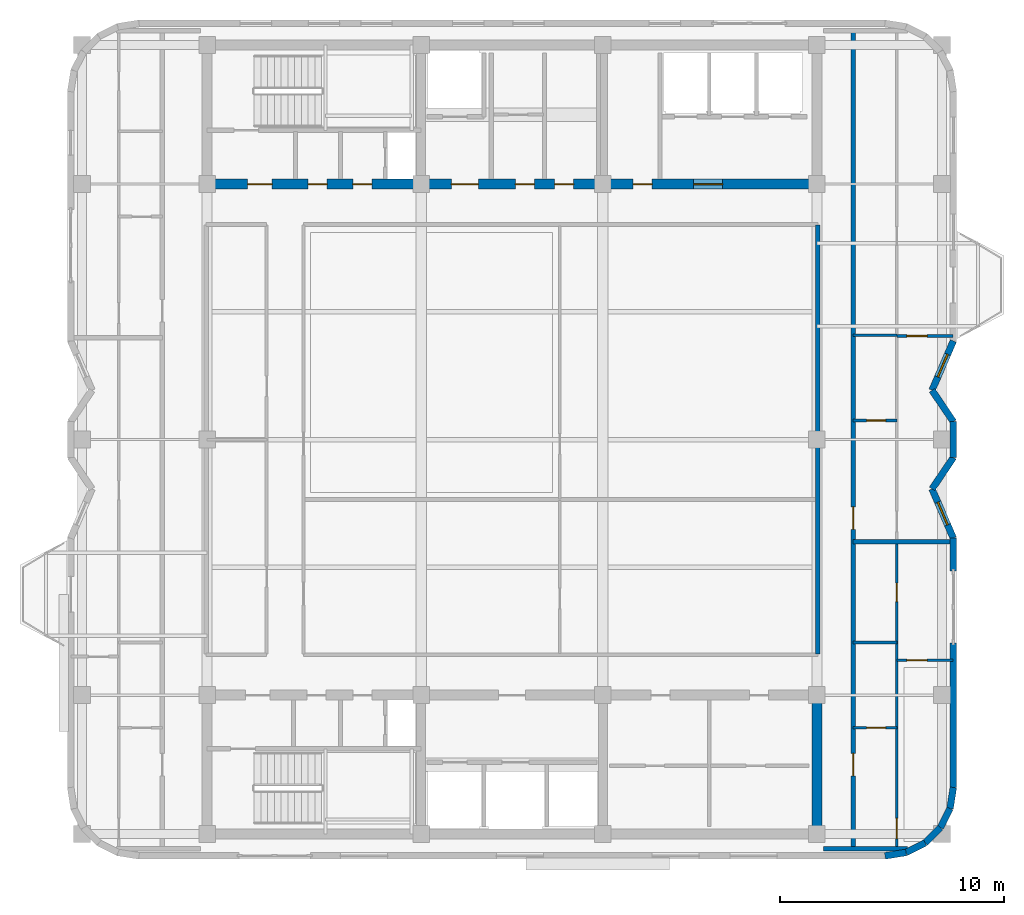
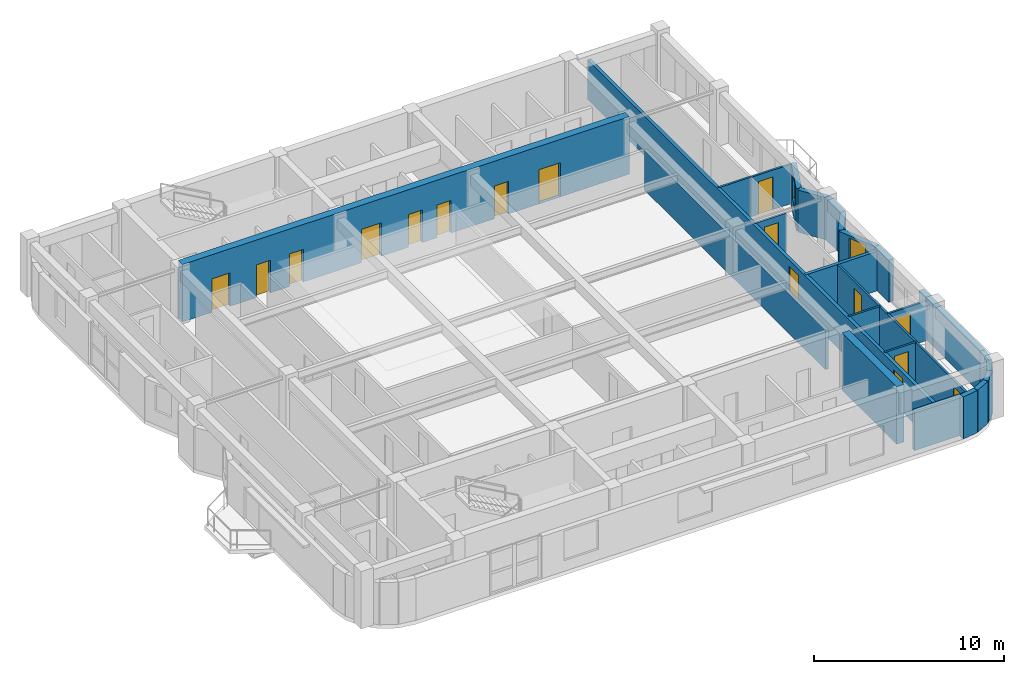
# One storey, part 7 of 11: 25 walls, 16 doors, 2 windows, 18 openings.
"""IFC4 building model written with IfcOpenShell, lengths in metres."""

import ifcopenshell
import ifcopenshell.guid

model = None  # the IFC model being written
_history = None  # IfcOwnerHistory: only IFC2X3 demands one
_inside = {}  # id of a spatial element -> (the spatial element, [elements in it])
_under = {}  # id of a project, library or spatial element -> (it, [spatial elements below it])
_declared = {}  # id of a project -> (the project, [libraries it declares])
_typed = {}  # id of a type object -> (the type object, [elements of that type])
_made_of = {}  # id of a material, layer set ... -> (it, [elements and type objects made of it])


def new_model(schema):
    """Start an empty IFC model of exactly this schema.

    Asked for "IFC4X3", IfcOpenShell would pick the latest addendum, in which some entities
    have other attributes; the version numbers below select the first issue.
    IFC2X3 requires an IfcOwnerHistory on every rooted entity: one is made here for all.
    """
    global model, _history
    if schema == "IFC4X3":
        model = ifcopenshell.file(schema_version=(4, 3, 0, 0))
    else:
        model = ifcopenshell.file(schema=schema)
    _inside.clear()
    _under.clear()
    _declared.clear()
    _typed.clear()
    _made_of.clear()
    _history = None
    if model.schema == "IFC2X3":
        org = make("IfcOrganization", Name="unknown")
        user = make(
            "IfcPersonAndOrganization",
            ThePerson=make("IfcPerson", FamilyName="unknown"),
            TheOrganization=org,
        )
        app = make(
            "IfcApplication",
            ApplicationDeveloper=org,
            Version="unknown",
            ApplicationFullName="unknown",
            ApplicationIdentifier="unknown",
        )
        _history = make(
            "IfcOwnerHistory",
            OwningUser=user,
            OwningApplication=app,
            ChangeAction="ADDED",
            CreationDate=0,
        )
    return model


def make(cls, **values):
    """One entity of the class cls with the attributes given. An attribute that is None is left unset."""
    return model.create_entity(
        cls, **{name: value for name, value in values.items() if value is not None}
    )


def rooted(cls, **values):
    """An entity with a GlobalId (a new one), such as an element, a storey or a relation."""
    return make(cls, GlobalId=ifcopenshell.guid.new(), OwnerHistory=_history, **values)


def si_unit(unit_type, name, prefix=None):
    """IfcSIUnit, for example si_unit("LENGTHUNIT", "METRE", prefix="MILLI")."""
    return make("IfcSIUnit", UnitType=unit_type, Prefix=prefix, Name=name)


def assignment(units):
    """IfcUnitAssignment: the units of a project."""
    return None if units is None else make("IfcUnitAssignment", Units=units)


def point(xyz):
    """IfcCartesianPoint."""
    return None if xyz is None else make("IfcCartesianPoint", Coordinates=xyz)


def direction(xyz):
    """IfcDirection."""
    return None if xyz is None else make("IfcDirection", DirectionRatios=xyz)


def frame(location, z_axis=None, x_axis=None):
    """IfcAxis2Placement3D, a coordinate frame: its origin and axes. An axis left out is left unset."""
    return make(
        "IfcAxis2Placement3D",
        Location=point(location),
        Axis=direction(z_axis),
        RefDirection=direction(x_axis),
    )


def frame_2d(location, x_axis=None):
    """IfcAxis2Placement2D, a coordinate frame in the plane: its origin and x axis."""
    return make(
        "IfcAxis2Placement2D", Location=point(location), RefDirection=direction(x_axis)
    )


def origin():
    """The frame at (0, 0, 0) with its axes left unset."""
    return frame((0.0, 0.0, 0.0))


def place(relative_to, where):
    """IfcLocalPlacement: puts the frame where relative to a parent placement (None: the world)."""
    return make(
        "IfcLocalPlacement", PlacementRelTo=relative_to, RelativePlacement=where
    )


def context(
    kind, dimensions, precision=None, world=None, true_north=None, identifier=None
):
    """IfcGeometricRepresentationContext, for example the 3D "Model" context."""
    return make(
        "IfcGeometricRepresentationContext",
        ContextIdentifier=identifier,
        ContextType=kind,
        CoordinateSpaceDimension=dimensions,
        Precision=precision,
        WorldCoordinateSystem=world,
        TrueNorth=true_north,
    )


def subcontext(parent, identifier, kind, view, scale=None):
    """IfcGeometricRepresentationSubContext, for example "Body" below "Model"."""
    return make(
        "IfcGeometricRepresentationSubContext",
        ContextIdentifier=identifier,
        ContextType=kind,
        ParentContext=parent,
        TargetScale=scale,
        TargetView=view,
    )


def project(units=None, contexts=None):
    """IfcProject with its units and contexts."""
    return rooted(
        "IfcProject",
        Name="project",
        RepresentationContexts=contexts,
        UnitsInContext=assignment(units),
    )


def spatial(cls, under=None, at=None, **own):
    """A site, building, storey or space (cls), placed at a placement, below another one or the project."""
    s = rooted(cls, ObjectPlacement=at, **own)
    if under is not None:
        _under.setdefault(under.id(), (under, []))[1].append(s)
    return s


def profile(cls, at=None, kind="AREA", **sizes):
    """A parametric profile (cls). Its sizes go by their IFC names, for example OverallWidth=200.0."""
    return make(cls, ProfileType=kind, Position=at, **sizes)


def rectangle(**sizes):
    """IfcRectangleProfileDef."""
    return profile("IfcRectangleProfileDef", **sizes)


def extrude(swept, where, along, depth):
    """IfcExtrudedAreaSolid: the profile swept, set in the frame where, extruded along a direction by depth."""
    return make(
        "IfcExtrudedAreaSolid",
        SweptArea=swept,
        Position=where,
        ExtrudedDirection=direction(along),
        Depth=depth,
    )


def shape(context_of_items, identifier, shape_type, items):
    """IfcShapeRepresentation: the items that make up one representation, for example the "Body"."""
    return make(
        "IfcShapeRepresentation",
        ContextOfItems=context_of_items,
        RepresentationIdentifier=identifier,
        RepresentationType=shape_type,
        Items=items,
    )


def material(Name=None, Category=None):
    """IfcMaterial."""
    return make("IfcMaterial", Name=Name, Category=Category)


def layer(
    of_material, thickness, ventilated=None, Name=None, Category=None, Priority=None
):
    """IfcMaterialLayer: one layer of a wall or slab, of a material (None: an air gap)."""
    return make(
        "IfcMaterialLayer",
        Material=of_material,
        LayerThickness=thickness,
        IsVentilated=ventilated,
        Name=Name,
        Category=Category,
        Priority=Priority,
    )


def layer_set(layers, Name=None):
    """IfcMaterialLayerSet."""
    return make("IfcMaterialLayerSet", MaterialLayers=layers, LayerSetName=Name)


def made_of(thing, what):
    """Note that an element or type object is made of a material, layer set ...; save() writes the relation."""
    if what is not None:
        _made_of.setdefault(what.id(), (what, []))[1].append(thing)
    return thing


def type_object(cls, material=None, **own):
    """A type object (cls), such as IfcWallType, which elements share."""
    return made_of(rooted(cls, **own), material)


def element(
    cls,
    number,
    at=None,
    inside=None,
    cuts=None,
    type_object=None,
    material=None,
    context=None,
    identifier="Body",
    shape_type=None,
    held_by="IfcProductDefinitionShape",
    body=None,
    shapes=None,
    **own,
):
    """One element of the class cls, such as IfcWall. Its Tag is "e" and its number.

    at: its placement. inside: the storey or other place that contains it. cuts: it is an
    opening in that element (IfcRelVoidsElement). A single representation is given by context,
    identifier, shape_type and body (its items); several are given by shapes. held_by: the class
    of the entity that holds the representations. save() writes the other relations.
    """
    e = rooted(cls, Tag="e%d" % number, ObjectPlacement=at, **own)
    if body is not None:
        shapes = [shape(context, identifier, shape_type, body)]
    if shapes is not None:
        e.Representation = make(held_by, Representations=shapes)
    if inside is not None:
        _inside.setdefault(inside.id(), (inside, []))[1].append(e)
    if cuts is not None:
        rooted(
            "IfcRelVoidsElement", RelatingBuildingElement=cuts, RelatedOpeningElement=e
        )
    if type_object is not None:
        _typed.setdefault(type_object.id(), (type_object, []))[1].append(e)
    return made_of(e, material)


def fill(opening, filler):
    """IfcRelFillsElement: the door or window that sits in an opening."""
    return rooted(
        "IfcRelFillsElement",
        RelatingOpeningElement=opening,
        RelatedBuildingElement=filler,
    )


def aggregate(whole, parts):
    """IfcRelAggregates: a whole, such as a stair, and the parts it consists of."""
    return rooted("IfcRelAggregates", RelatingObject=whole, RelatedObjects=parts)


def save(model, path):
    """Write the relations noted so far, then the file.

    IfcRelAggregates (storeys below a building ...), IfcRelContainedInSpatialStructure (elements
    in a storey), IfcRelDefinesByType, IfcRelAssociatesMaterial and IfcRelDeclares: one each for
    every whole, place, type object, material and project.
    """
    for whole, parts in _under.values():
        aggregate(whole, parts)
    for where, things in _inside.values():
        rooted(
            "IfcRelContainedInSpatialStructure",
            RelatedElements=things,
            RelatingStructure=where,
        )
    for kind, things in _typed.values():
        rooted("IfcRelDefinesByType", RelatedObjects=things, RelatingType=kind)
    for what, things in _made_of.values():
        rooted("IfcRelAssociatesMaterial", RelatedObjects=things, RelatingMaterial=what)
    for by, libraries in _declared.values():
        rooted("IfcRelDeclares", RelatingContext=by, RelatedDefinitions=libraries)
    model.write(path)


model = new_model("IFC4")

# Units and contexts
model_context = context("Model", 3, precision=1e-05, world=origin(), true_north=direction((0.0, 1.0)))
body_context = subcontext(model_context, "Body", "Model", "MODEL_VIEW")
ifc_project = project(units=[si_unit("LENGTHUNIT", "METRE"), si_unit("AREAUNIT", "SQUARE_METRE"), si_unit("VOLUMEUNIT", "CUBIC_METRE"), si_unit("PLANEANGLEUNIT", "RADIAN"), si_unit("MASSUNIT", "GRAM", prefix="KILO")], contexts=[model_context])

# Site, building, storey
site_placement = place(None, origin())
site = spatial("IfcSite", under=ifc_project, at=site_placement, CompositionType="ELEMENT")
building_placement = place(site_placement, origin())
building = spatial("IfcBuilding", under=site, at=building_placement, Name="Svetorya Sky Lyceum", CompositionType="ELEMENT")
storey_placement = place(building_placement, frame((0.0, 0.0, 293.5)))
storey = spatial("IfcBuildingStorey", under=building, at=storey_placement, Name="L74", CompositionType="ELEMENT", Elevation=293.5)

# Wall
ifc_material_1 = material(Name="Concrete C50/60", Category="concrete")
ifc_layer_1 = layer(ifc_material_1, 0.449951171875)
ifc_layer_set_1 = layer_set([ifc_layer_1], Name="Concrete C50/60")
wall_type_1 = type_object("IfcWallType", Name="WL-CORE-450", PredefinedType="SHEAR", material=ifc_layer_set_1)
wall_1_placement = place(storey_placement, frame((52.800048828125, 10.824951171875, 0.0), z_axis=(0.0, 0.0, 1.0), x_axis=(0.0, 1.0, 0.0)))
element("IfcWall", 1, at=wall_1_placement, inside=storey, type_object=wall_type_1, Name="L74 SC East Core Shear Wall", PredefinedType="SHEAR", context=body_context, shape_type="SweptSolid", body=[
    extrude(rectangle(XDim=5.75, YDim=0.449951171875, at=frame_2d((2.875, 0.0))), origin(), (0.0, 0.0, 1.0), 3.699951171875),
])

# Wall, openings, doors
wall_2_placement = place(storey_placement, frame((52.800048828125, 39.60009765625, 0.0), z_axis=(0.0, 0.0, 1.0), x_axis=(-1.0, 0.0, 0.0)))
wall_2 = element("IfcWall", 2, at=wall_2_placement, inside=storey, type_object=wall_type_1, Name="L74 NC Inner Core Shear Wall", PredefinedType="SHEAR", context=body_context, shape_type="SweptSolid", body=[
    extrude(rectangle(XDim=27.199951171875, YDim=0.449951171875, at=frame_2d((13.60009765625, 0.0))), origin(), (0.0, 0.0, 1.0), 3.699951171875),
])
opening_1_placement = place(wall_2_placement, frame((24.300048828125, 0.0, 0.0)))
opening_1 = element("IfcOpeningElement", 3, at=opening_1_placement, cuts=wall_2, Name="Opening D-ST1", PredefinedType="OPENING", context=body_context, shape_type="SweptSolid", body=[
    extrude(rectangle(XDim=1.10009765625, YDim=2.14990234375, at=frame_2d((0.550048828125, 1.074951171875))), frame((0.0, 0.23486328125, 0.0), z_axis=(0.0, -1.0, 0.0), x_axis=(1.0, 0.0, 0.0)), (0.0, 0.0, 1.0), 0.469970703125),
])
opening_2_placement = place(wall_2_placement, frame((21.85009765625, 0.0, 0.0)))
opening_2 = element("IfcOpeningElement", 4, at=opening_2_placement, cuts=wall_2, Name="Opening D-CWC1", PredefinedType="OPENING", context=body_context, shape_type="SweptSolid", body=[
    extrude(rectangle(XDim=0.85009765625, YDim=2.10009765625, at=frame_2d((0.425048828125, 1.050048828125))), frame((0.0, 0.23486328125, 0.0), z_axis=(0.0, -1.0, 0.0), x_axis=(1.0, 0.0, 0.0)), (0.0, 0.0, 1.0), 0.469970703125),
])
opening_3_placement = place(wall_2_placement, frame((19.85009765625, 0.0, 0.0)))
opening_3 = element("IfcOpeningElement", 5, at=opening_3_placement, cuts=wall_2, Name="Opening D-CWC1", PredefinedType="OPENING", context=body_context, shape_type="SweptSolid", body=[
    extrude(rectangle(XDim=0.85009765625, YDim=2.10009765625, at=frame_2d((0.425048828125, 1.050048828125))), frame((0.0, 0.23486328125, 0.0), z_axis=(0.0, -1.0, 0.0), x_axis=(1.0, 0.0, 0.0)), (0.0, 0.0, 1.0), 0.469970703125),
])
opening_4_placement = place(wall_2_placement, frame((15.10009765625, 0.0, 0.0)))
opening_4 = element("IfcOpeningElement", 6, at=opening_4_placement, cuts=wall_2, Name="Opening D-FL1", PredefinedType="OPENING", context=body_context, shape_type="SweptSolid", body=[
    extrude(rectangle(XDim=1.199951171875, YDim=2.14990234375, at=frame_2d((0.60009765625, 1.074951171875))), frame((0.0, 0.23486328125, 0.0), z_axis=(0.0, -1.0, 0.0), x_axis=(1.0, 0.0, 0.0)), (0.0, 0.0, 1.0), 0.469970703125),
])
opening_5_placement = place(wall_2_placement, frame((12.60009765625, 0.0, 0.0)))
opening_5 = element("IfcOpeningElement", 7, at=opening_5_placement, cuts=wall_2, Name="Opening D-CWC1", PredefinedType="OPENING", context=body_context, shape_type="SweptSolid", body=[
    extrude(rectangle(XDim=0.85009765625, YDim=2.10009765625, at=frame_2d((0.425048828125, 1.050048828125))), frame((0.0, 0.23486328125, 0.0), z_axis=(0.0, -1.0, 0.0), x_axis=(1.0, 0.0, 0.0)), (0.0, 0.0, 1.0), 0.469970703125),
])
opening_6_placement = place(wall_2_placement, frame((10.85009765625, 0.0, 0.0)))
opening_6 = element("IfcOpeningElement", 8, at=opening_6_placement, cuts=wall_2, Name="Opening D-CWC1", PredefinedType="OPENING", context=body_context, shape_type="SweptSolid", body=[
    extrude(rectangle(XDim=0.85009765625, YDim=2.10009765625, at=frame_2d((0.425048828125, 1.050048828125))), frame((0.0, 0.23486328125, 0.0), z_axis=(0.0, -1.0, 0.0), x_axis=(1.0, 0.0, 0.0)), (0.0, 0.0, 1.0), 0.469970703125),
])
opening_7_placement = place(wall_2_placement, frame((7.35009765625, 0.0, 0.0)))
opening_7 = element("IfcOpeningElement", 9, at=opening_7_placement, cuts=wall_2, Name="Opening D-CWC1", PredefinedType="OPENING", context=body_context, shape_type="SweptSolid", body=[
    extrude(rectangle(XDim=0.85009765625, YDim=2.10009765625, at=frame_2d((0.425048828125, 1.050048828125))), frame((0.0, 0.23486328125, 0.0), z_axis=(0.0, -1.0, 0.0), x_axis=(1.0, 0.0, 0.0)), (0.0, 0.0, 1.0), 0.469970703125),
])
opening_8_placement = place(wall_2_placement, frame((4.199951171875, 0.0, 0.0)))
opening_8 = element("IfcOpeningElement", 10, at=opening_8_placement, cuts=wall_2, Name="Opening D-LB1", PredefinedType="OPENING", context=body_context, shape_type="SweptSolid", body=[
    extrude(rectangle(XDim=1.300048828125, YDim=2.199951171875, at=frame_2d((0.64990234375, 1.10009765625))), frame((0.0, 0.23486328125, 0.0), z_axis=(0.0, -1.0, 0.0), x_axis=(1.0, 0.0, 0.0)), (0.0, 0.0, 1.0), 0.469970703125),
])
ifc_material_2 = material(Name="Fire-rated galvanized steel core service closet door", Category="steel")
door_type_1 = type_object("IfcDoorType", Name="DR-CWET-850", OperationType="SINGLE_SWING_LEFT", PredefinedType="DOOR", material=ifc_material_2)
door_1_placement = place(opening_2_placement, origin())
door_1 = element("IfcDoor", 11, at=door_1_placement, inside=storey, type_object=door_type_1, Name="L74 North Cleaner Door", OperationType="SINGLE_SWING_RIGHT", OverallHeight=2.10009765625, OverallWidth=0.85009765625, PredefinedType="DOOR", context=body_context, shape_type="SweptSolid", body=[
    extrude(rectangle(XDim=0.85009765625, YDim=2.10009765625, at=frame_2d((0.425048828125, 1.050048828125))), frame((0.0, 0.02490234375, 0.0), z_axis=(0.0, -1.0, 0.0), x_axis=(1.0, 0.0, 0.0)), (0.0, 0.0, 1.0), 0.050048828125),
])
fill(opening_2, door_1)
door_2_placement = place(opening_3_placement, origin())
door_2 = element("IfcDoor", 12, at=door_2_placement, inside=storey, type_object=door_type_1, Name="L74 North Meter Door", OperationType="SINGLE_SWING_LEFT", OverallHeight=2.10009765625, OverallWidth=0.85009765625, PredefinedType="DOOR", context=body_context, shape_type="SweptSolid", body=[
    extrude(rectangle(XDim=0.85009765625, YDim=2.10009765625, at=frame_2d((0.425048828125, 1.050048828125))), frame((0.0, 0.02490234375, 0.0), z_axis=(0.0, -1.0, 0.0), x_axis=(1.0, 0.0, 0.0)), (0.0, 0.0, 1.0), 0.050048828125),
])
fill(opening_3, door_2)
door_3_placement = place(opening_5_placement, origin())
door_3 = element("IfcDoor", 13, at=door_3_placement, inside=storey, type_object=door_type_1, Name="L74 Cleaner Vestibule Door", OperationType="SINGLE_SWING_LEFT", OverallHeight=2.10009765625, OverallWidth=0.85009765625, PredefinedType="DOOR", context=body_context, shape_type="SweptSolid", body=[
    extrude(rectangle(XDim=0.85009765625, YDim=2.10009765625, at=frame_2d((0.425048828125, 1.050048828125))), frame((0.0, 0.02490234375, 0.0), z_axis=(0.0, -1.0, 0.0), x_axis=(1.0, 0.0, 0.0)), (0.0, 0.0, 1.0), 0.050048828125),
])
fill(opening_5, door_3)
door_4_placement = place(opening_6_placement, origin())
door_4 = element("IfcDoor", 14, at=door_4_placement, inside=storey, type_object=door_type_1, Name="L74 Upper Pram Store Door", OperationType="SINGLE_SWING_RIGHT", OverallHeight=2.10009765625, OverallWidth=0.85009765625, PredefinedType="DOOR", context=body_context, shape_type="SweptSolid", body=[
    extrude(rectangle(XDim=0.85009765625, YDim=2.10009765625, at=frame_2d((0.425048828125, 1.050048828125))), frame((0.0, 0.02490234375, 0.0), z_axis=(0.0, -1.0, 0.0), x_axis=(1.0, 0.0, 0.0)), (0.0, 0.0, 1.0), 0.050048828125),
])
fill(opening_6, door_4)
door_5_placement = place(opening_7_placement, origin())
door_5 = element("IfcDoor", 15, at=door_5_placement, inside=storey, type_object=door_type_1, Name="L74 High-Zone Utility Room Door", OperationType="SINGLE_SWING_LEFT", OverallHeight=2.10009765625, OverallWidth=0.85009765625, PredefinedType="DOOR", context=body_context, shape_type="SweptSolid", body=[
    extrude(rectangle(XDim=0.85009765625, YDim=2.10009765625, at=frame_2d((0.425048828125, 1.050048828125))), frame((0.0, 0.02490234375, 0.0), z_axis=(0.0, -1.0, 0.0), x_axis=(1.0, 0.0, 0.0)), (0.0, 0.0, 1.0), 0.050048828125),
])
fill(opening_7, door_5)
ifc_material_3 = material(Name="Powder-coated insulated galvanized stair fire door")
door_type_2 = type_object("IfcDoorType", Name="DR-FIRE-1100", OperationType="SINGLE_SWING_LEFT", PredefinedType="DOOR", material=ifc_material_3)
door_6_placement = place(opening_1_placement, origin())
door_6 = element("IfcDoor", 16, at=door_6_placement, inside=storey, type_object=door_type_2, Name="L74 North Stair Airlock Door", OperationType="SINGLE_SWING_LEFT", OverallHeight=2.14990234375, OverallWidth=1.10009765625, PredefinedType="DOOR", context=body_context, shape_type="SweptSolid", body=[
    extrude(rectangle(XDim=1.10009765625, YDim=2.14990234375, at=frame_2d((0.550048828125, 1.074951171875))), frame((0.0, 0.02490234375, 0.0), z_axis=(0.0, -1.0, 0.0), x_axis=(1.0, 0.0, 0.0)), (0.0, 0.0, 1.0), 0.050048828125),
])
fill(opening_1, door_6)
ifc_material_4 = material(Name="Powder-coated insulated galvanized fire door")
door_type_3 = type_object("IfcDoorType", Name="DR-FIRE-1200", OperationType="SINGLE_SWING_LEFT", PredefinedType="DOOR", material=ifc_material_4)
door_7_placement = place(opening_4_placement, origin())
door_7 = element("IfcDoor", 17, at=door_7_placement, inside=storey, type_object=door_type_3, Name="L74 North Firefighting Lift Lobby Door", OperationType="SINGLE_SWING_RIGHT", OverallHeight=2.14990234375, OverallWidth=1.199951171875, PredefinedType="DOOR", context=body_context, shape_type="SweptSolid", body=[
    extrude(rectangle(XDim=1.199951171875, YDim=2.14990234375, at=frame_2d((0.60009765625, 1.074951171875))), frame((0.0, 0.02490234375, 0.0), z_axis=(0.0, -1.0, 0.0), x_axis=(1.0, 0.0, 0.0)), (0.0, 0.0, 1.0), 0.050048828125),
])
fill(opening_4, door_7)
ifc_material_5 = material(Name="Glazed fire-rated aluminium lobby door", Category="aluminium")
door_type_4 = type_object("IfcDoorType", Name="DR-LOB-1300", OperationType="SINGLE_SWING_LEFT", PredefinedType="DOOR", material=ifc_material_5)
door_8_placement = place(opening_8_placement, origin())
door_8 = element("IfcDoor", 18, at=door_8_placement, inside=storey, type_object=door_type_4, Name="L74 North Passenger Lift Lobby Door", OperationType="SINGLE_SWING_LEFT", OverallHeight=2.199951171875, OverallWidth=1.300048828125, PredefinedType="DOOR", context=body_context, shape_type="SweptSolid", body=[
    extrude(rectangle(XDim=1.300048828125, YDim=2.199951171875, at=frame_2d((0.64990234375, 1.10009765625))), frame((0.0, 0.02490234375, 0.0), z_axis=(0.0, -1.0, 0.0), x_axis=(1.0, 0.0, 0.0)), (0.0, 0.0, 1.0), 0.050048828125),
])
fill(opening_8, door_8)

# Walls
ifc_material_6 = material(Name="Putilovo limestone rainscreen on autoclaved cellular masonry", Category="masonry")
ifc_layer_2 = layer(ifc_material_6, 0.300048828125)
ifc_layer_set_2 = layer_set([ifc_layer_2], Name="Putilovo limestone rainscreen on autoclaved cellular masonry")
wall_type_2 = type_object("IfcWallType", Name="WL-EXT-300", PredefinedType="SOLIDWALL", material=ifc_layer_set_2)
wall_3_placement = place(storey_placement, frame((55.840087890625, 9.6298828125, 0.0), z_axis=(0.0, 0.0, 1.0), x_axis=(0.987663181641, 0.156593229835, 0.0)))
element("IfcWall", 19, at=wall_3_placement, inside=storey, type_object=wall_type_2, Name="L74 Limestone Exterior Wall 7M", PredefinedType="SOLIDWALL", context=body_context, shape_type="SweptSolid", body=[
    extrude(rectangle(XDim=0.9541015625, YDim=0.300048828125, at=frame_2d((0.47705078125, 0.0))), origin(), (0.0, 0.0, 1.0), 2.7099609375),
])
for number, where, z_axis, x_axis, name in (
    (20, (56.782470703125, 9.779296875, 0.0), (0.0, 0.0, 1.0), (0.891076589373, 0.453852962833, 0.0), "L74 Limestone Exterior Wall 8M"),
    (21, (57.6328125, 10.21240234375, 0.0), (0.0, 0.0, 1.0), (0.707106781187, 0.707106781187, 0.0), "L74 Limestone Exterior Wall 9M"),
    (22, (58.3076171875, 10.88720703125, 0.0), (0.0, 0.0, 1.0), (0.453852962833, 0.891076589373, 0.0), "L74 Limestone Exterior Wall 10M"),
):
    element("IfcWall", number, at=place(storey_placement, frame(where, z_axis=z_axis, x_axis=x_axis)), inside=storey, type_object=wall_type_2, Name=name, PredefinedType="SOLIDWALL", context=body_context, shape_type="SweptSolid", body=[
        extrude(rectangle(XDim=0.954345703125, YDim=0.300048828125, at=frame_2d((0.47705078125, 0.0))), origin(), (0.0, 0.0, 1.0), 2.7099609375),
    ])
wall_4_placement = place(storey_placement, frame((58.74072265625, 11.737548828125, 0.0), z_axis=(0.0, 0.0, 1.0), x_axis=(0.156343617883, 0.987702725088, 0.0)))
element("IfcWall", 23, at=wall_4_placement, inside=storey, type_object=wall_type_2, Name="L74 Limestone Exterior Wall 11M", PredefinedType="SOLIDWALL", context=body_context, shape_type="SweptSolid", body=[
    extrude(rectangle(XDim=0.9541015625, YDim=0.300048828125, at=frame_2d((0.47705078125, 0.0))), origin(), (0.0, 0.0, 1.0), 2.7099609375),
])
wall_5_placement = place(storey_placement, frame((58.889892578125, 12.679931640625, 0.0), z_axis=(0.0, 0.0, 1.0), x_axis=(0.0, 1.0, 0.0)))
element("IfcWall", 24, at=wall_5_placement, inside=storey, type_object=wall_type_2, Name="L74 Limestone Exterior Wall 12A", PredefinedType="SOLIDWALL", context=body_context, shape_type="SweptSolid", body=[
    extrude(rectangle(XDim=6.449951171875, YDim=0.300048828125, at=frame_2d((3.22509765625, 0.0))), origin(), (0.0, 0.0, 1.0), 2.7099609375),
])
wall_6_placement = place(storey_placement, frame((58.889892578125, 22.330078125, 0.0), z_axis=(0.0, 0.0, 1.0), x_axis=(0.0, 1.0, 0.0)))
element("IfcWall", 25, at=wall_6_placement, inside=storey, type_object=wall_type_2, Name="L74 Limestone Exterior Wall 12B", PredefinedType="SOLIDWALL", context=body_context, shape_type="SweptSolid", body=[
    extrude(rectangle(XDim=1.469970703125, YDim=0.300048828125, at=frame_2d((0.73486328125, 0.0))), origin(), (0.0, 0.0, 1.0), 2.7099609375),
])

# Wall, opening, window
wall_7_placement = place(storey_placement, frame((58.889892578125, 23.800048828125, 0.0), z_axis=(0.0, 0.0, 1.0), x_axis=(-0.396426258231, 0.918066567186, 0.0)))
wall_7 = element("IfcWall", 26, at=wall_7_placement, inside=storey, type_object=wall_type_2, Name="L74 Limestone Exterior Wall 13M", PredefinedType="SOLIDWALL", context=body_context, shape_type="SweptSolid", body=[
    extrude(rectangle(XDim=2.396240234375, YDim=0.300048828125, at=frame_2d((1.1982421875, 0.0))), origin(), (0.0, 0.0, 1.0), 2.7099609375),
])
opening_9_placement = place(wall_7_placement, frame((0.648193359375, 0.0, 0.89990234375)))
opening_9 = element("IfcOpeningElement", 27, at=opening_9_placement, cuts=wall_7, Name="Opening W-R3", PredefinedType="OPENING", context=body_context, shape_type="SweptSolid", body=[
    extrude(rectangle(XDim=1.10009765625, YDim=1.64990234375, at=frame_2d((0.550048828125, 0.824951171875))), frame((0.0, 0.159912109375, 0.0), z_axis=(0.0, -1.0, 0.0), x_axis=(1.0, 0.0, 0.0)), (0.0, 0.0, 1.0), 0.320068359375),
])
ifc_material_7 = material(Name="Thermally broken aluminium frame with triple low-E glazing", Category="aluminium")
window_type = type_object("IfcWindowType", Name="WN-RES-110", PartitioningType="SINGLE_PANEL", PredefinedType="WINDOW", material=ifc_material_7)
window_1_placement = place(opening_9_placement, origin())
window_1 = element("IfcWindow", 28, at=window_1_placement, inside=storey, type_object=window_type, Name="L74 Facade Window W-R3.13M.1", OverallHeight=1.64990234375, OverallWidth=1.10009765625, PartitioningType="SINGLE_PANEL", PredefinedType="WINDOW", context=body_context, shape_type="SweptSolid", body=[
    extrude(rectangle(XDim=1.10009765625, YDim=1.64990234375, at=frame_2d((0.550048828125, 0.824951171875))), frame((0.0, 0.030029296875, 0.0), z_axis=(0.0, -1.0, 0.0), x_axis=(1.0, 0.0, 0.0)), (0.0, 0.0, 1.0), 0.06005859375),
])
fill(opening_9, window_1)

# Walls
wall_8_placement = place(storey_placement, frame((57.93994140625, 26.0, 0.0), z_axis=(0.0, 0.0, 1.0), x_axis=(0.561508476251, 0.827470985049, 0.0)))
element("IfcWall", 29, at=wall_8_placement, inside=storey, type_object=wall_type_2, Name="L74 Limestone Exterior Wall 14M", PredefinedType="SOLIDWALL", context=body_context, shape_type="SweptSolid", body=[
    extrude(rectangle(XDim=1.69189453125, YDim=0.300048828125, at=frame_2d((0.845947265625, 0.0))), origin(), (0.0, 0.0, 1.0), 2.7099609375),
])
wall_9_placement = place(storey_placement, frame((58.889892578125, 27.39990234375, 0.0), z_axis=(0.0, 0.0, 1.0), x_axis=(0.0, 1.0, 0.0)))
element("IfcWall", 30, at=wall_9_placement, inside=storey, type_object=wall_type_2, Name="L74 Limestone Exterior Wall 15M", PredefinedType="SOLIDWALL", context=body_context, shape_type="SweptSolid", body=[
    extrude(rectangle(XDim=1.60009765625, YDim=0.300048828125, at=frame_2d((0.800048828125, 0.0))), origin(), (0.0, 0.0, 1.0), 2.7099609375),
])
wall_10_placement = place(storey_placement, frame((58.889892578125, 29.0, 0.0), z_axis=(0.0, 0.0, 1.0), x_axis=(-0.561508476251, 0.827470985049, 0.0)))
element("IfcWall", 31, at=wall_10_placement, inside=storey, type_object=wall_type_2, Name="L74 Limestone Exterior Wall 16M", PredefinedType="SOLIDWALL", context=body_context, shape_type="SweptSolid", body=[
    extrude(rectangle(XDim=1.69189453125, YDim=0.300048828125, at=frame_2d((0.845947265625, 0.0))), origin(), (0.0, 0.0, 1.0), 2.7099609375),
])

# Wall, opening, window
wall_11_placement = place(storey_placement, frame((57.93994140625, 30.39990234375, 0.0), z_axis=(0.0, 0.0, 1.0), x_axis=(0.396389181543, 0.918082576218, 0.0)))
wall_11 = element("IfcWall", 32, at=wall_11_placement, inside=storey, type_object=wall_type_2, Name="L74 Limestone Exterior Wall 17M", PredefinedType="SOLIDWALL", context=body_context, shape_type="SweptSolid", body=[
    extrude(rectangle(XDim=2.396484375, YDim=0.300048828125, at=frame_2d((1.1982421875, 0.0))), origin(), (0.0, 0.0, 1.0), 2.7099609375),
])
opening_10_placement = place(wall_11_placement, frame((0.648193359375, 0.0, 0.89990234375)))
opening_10 = element("IfcOpeningElement", 33, at=opening_10_placement, cuts=wall_11, Name="Opening W-R3", PredefinedType="OPENING", context=body_context, shape_type="SweptSolid", body=[
    extrude(rectangle(XDim=1.10009765625, YDim=1.64990234375, at=frame_2d((0.550048828125, 0.824951171875))), frame((0.0, 0.159912109375, 0.0), z_axis=(0.0, -1.0, 0.0), x_axis=(1.0, 0.0, 0.0)), (0.0, 0.0, 1.0), 0.320068359375),
])
window_2_placement = place(opening_10_placement, origin())
window_2 = element("IfcWindow", 34, at=window_2_placement, inside=storey, type_object=window_type, Name="L74 Facade Window W-R3.17M.1", OverallHeight=1.64990234375, OverallWidth=1.10009765625, PartitioningType="SINGLE_PANEL", PredefinedType="WINDOW", context=body_context, shape_type="SweptSolid", body=[
    extrude(rectangle(XDim=1.10009765625, YDim=1.64990234375, at=frame_2d((0.550048828125, 0.824951171875))), frame((0.0, 0.030029296875, 0.0), z_axis=(0.0, -1.0, 0.0), x_axis=(1.0, 0.0, 0.0)), (0.0, 0.0, 1.0), 0.06005859375),
])
fill(opening_10, window_2)

# Wall, opening, door
ifc_material_8 = material(Name="Twin-stud galvanized framing with double fireboard", Category="gypsum")
ifc_layer_3 = layer(ifc_material_8, 0.1201171875)
ifc_layer_set_3 = layer_set([ifc_layer_3], Name="Twin-stud galvanized framing with double fireboard")
wall_type_3 = type_object("IfcWallType", Name="WL-PART-120", PredefinedType="PARTITIONING", material=ifc_layer_set_3)
wall_12_placement = place(storey_placement, frame((54.419921875, 15.35009765625, 0.0), z_axis=(0.0, 0.0, 1.0), x_axis=(1.0, 0.0, 0.0)))
wall_12 = element("IfcWall", 35, at=wall_12_placement, inside=storey, type_object=wall_type_3, Name="L74 Interior Partition E1-WH1", PredefinedType="PARTITIONING", context=body_context, shape_type="SweptSolid", body=[
    extrude(rectangle(XDim=1.9501953125, YDim=0.1201171875, at=frame_2d((0.97509765625, 0.0))), origin(), (0.0, 0.0, 1.0), 2.5400390625),
])
opening_11_placement = place(wall_12_placement, frame((0.60009765625, 0.0, 0.0)))
opening_11 = element("IfcOpeningElement", 36, at=opening_11_placement, cuts=wall_12, Name="Opening D-BT1", PredefinedType="OPENING", context=body_context, shape_type="SweptSolid", body=[
    extrude(rectangle(XDim=0.85009765625, YDim=2.10009765625, at=frame_2d((0.425048828125, 1.050048828125))), frame((0.0, 0.070068359375, 0.0), z_axis=(0.0, -1.0, 0.0), x_axis=(1.0, 0.0, 0.0)), (0.0, 0.0, 1.0), 0.14013671875),
])
ifc_material_9 = material(Name="Moisture-resistant laminate bathroom door")
door_type_5 = type_object("IfcDoorType", Name="DR-WET-850", OperationType="SINGLE_SWING_LEFT", PredefinedType="DOOR", material=ifc_material_9)
door_9_placement = place(opening_11_placement, origin())
door_9 = element("IfcDoor", 37, at=door_9_placement, inside=storey, type_object=door_type_5, Name="Apartment E1 Bathroom Door", OperationType="SINGLE_SWING_RIGHT", OverallHeight=2.10009765625, OverallWidth=0.85009765625, PredefinedType="DOOR", context=body_context, shape_type="SweptSolid", body=[
    extrude(rectangle(XDim=0.85009765625, YDim=2.10009765625, at=frame_2d((0.425048828125, 1.050048828125))), frame((0.0, 0.02490234375, 0.0), z_axis=(0.0, -1.0, 0.0), x_axis=(1.0, 0.0, 0.0)), (0.0, 0.0, 1.0), 0.050048828125),
])
fill(opening_11, door_9)

# Wall
wall_13_placement = place(storey_placement, frame((54.419921875, 19.14990234375, 0.0), z_axis=(0.0, 0.0, 1.0), x_axis=(1.0, 0.0, 0.0)))
element("IfcWall", 38, at=wall_13_placement, inside=storey, type_object=wall_type_3, Name="L74 Interior Partition E1-WH2", PredefinedType="PARTITIONING", context=body_context, shape_type="SweptSolid", body=[
    extrude(rectangle(XDim=1.9501953125, YDim=0.1201171875, at=frame_2d((0.97509765625, 0.0))), origin(), (0.0, 0.0, 1.0), 2.5400390625),
])

# Wall, opening, door
wall_14_placement = place(storey_placement, frame((56.3701171875, 18.35009765625, 0.0), z_axis=(0.0, 0.0, 1.0), x_axis=(1.0, 0.0, 0.0)))
wall_14 = element("IfcWall", 39, at=wall_14_placement, inside=storey, type_object=wall_type_3, Name="L74 Interior Partition E1-WL1", PredefinedType="PARTITIONING", context=body_context, shape_type="SweptSolid", body=[
    extrude(rectangle(XDim=2.5, YDim=0.1201171875, at=frame_2d((1.25, 0.0))), origin(), (0.0, 0.0, 1.0), 2.5400390625),
])
opening_12_placement = place(wall_14_placement, frame((0.449951171875, 0.0, 0.0)))
opening_12 = element("IfcOpeningElement", 40, at=opening_12_placement, cuts=wall_14, Name="Opening D-RM1", PredefinedType="OPENING", context=body_context, shape_type="SweptSolid", body=[
    extrude(rectangle(XDim=0.89990234375, YDim=2.10009765625, at=frame_2d((0.449951171875, 1.050048828125))), frame((0.0, 0.070068359375, 0.0), z_axis=(0.0, -1.0, 0.0), x_axis=(1.0, 0.0, 0.0)), (0.0, 0.0, 1.0), 0.14013671875),
])
ifc_material_10 = material(Name="Lacquered birch veneer internal door")
door_type_6 = type_object("IfcDoorType", Name="DR-INT-900", OperationType="SINGLE_SWING_LEFT", PredefinedType="DOOR", material=ifc_material_10)
door_10_placement = place(opening_12_placement, origin())
door_10 = element("IfcDoor", 41, at=door_10_placement, inside=storey, type_object=door_type_6, Name="Apartment E1 Bedroom 1 Door", OperationType="SINGLE_SWING_RIGHT", OverallHeight=2.10009765625, OverallWidth=0.89990234375, PredefinedType="DOOR", context=body_context, shape_type="SweptSolid", body=[
    extrude(rectangle(XDim=0.89990234375, YDim=2.10009765625, at=frame_2d((0.449951171875, 1.050048828125))), frame((0.0, 0.02490234375, 0.0), z_axis=(0.0, -1.0, 0.0), x_axis=(1.0, 0.0, 0.0)), (0.0, 0.0, 1.0), 0.050048828125),
])
fill(opening_12, door_10)

# Wall, openings, doors
wall_15_placement = place(storey_placement, frame((56.3701171875, 9.989990234375, 0.0), z_axis=(0.0, 0.0, 1.0), x_axis=(0.0, 1.0, 0.0)))
wall_15 = element("IfcWall", 42, at=wall_15_placement, inside=storey, type_object=wall_type_3, Name="L74 Interior Partition E1-WV", PredefinedType="PARTITIONING", context=body_context, shape_type="SweptSolid", body=[
    extrude(rectangle(XDim=13.6201171875, YDim=0.1201171875, at=frame_2d((6.81005859375, 0.0))), origin(), (0.0, 0.0, 1.0), 2.5400390625),
])
opening_13_placement = place(wall_15_placement, frame((0.409912109375, 0.0, 0.0)))
opening_13 = element("IfcOpeningElement", 43, at=opening_13_placement, cuts=wall_15, Name="Opening D-RM1", PredefinedType="OPENING", context=body_context, shape_type="SweptSolid", body=[
    extrude(rectangle(XDim=0.89990234375, YDim=2.10009765625, at=frame_2d((0.449951171875, 1.050048828125))), frame((0.0, 0.070068359375, 0.0), z_axis=(0.0, -1.0, 0.0), x_axis=(1.0, 0.0, 0.0)), (0.0, 0.0, 1.0), 0.14013671875),
])
opening_14_placement = place(wall_15_placement, frame((10.985107421875, 0.0, 0.0)))
opening_14 = element("IfcOpeningElement", 44, at=opening_14_placement, cuts=wall_15, Name="Opening D-BT2", PredefinedType="OPENING", context=body_context, shape_type="SweptSolid", body=[
    extrude(rectangle(XDim=0.820068359375, YDim=2.080078125, at=frame_2d((0.41015625, 1.0400390625))), frame((0.0, 0.070068359375, 0.0), z_axis=(0.0, -1.0, 0.0), x_axis=(1.0, 0.0, 0.0)), (0.0, 0.0, 1.0), 0.14013671875),
])
door_11_placement = place(opening_13_placement, origin())
door_11 = element("IfcDoor", 45, at=door_11_placement, inside=storey, type_object=door_type_6, Name="Apartment E1 Living Door", OperationType="SINGLE_SWING_LEFT", OverallHeight=2.10009765625, OverallWidth=0.89990234375, PredefinedType="DOOR", context=body_context, shape_type="SweptSolid", body=[
    extrude(rectangle(XDim=0.89990234375, YDim=2.10009765625, at=frame_2d((0.449951171875, 1.050048828125))), frame((0.0, 0.02490234375, 0.0), z_axis=(0.0, -1.0, 0.0), x_axis=(1.0, 0.0, 0.0)), (0.0, 0.0, 1.0), 0.050048828125),
])
fill(opening_13, door_11)
ifc_material_11 = material(Name="Compact moisture-resistant laminate closet door")
door_type_7 = type_object("IfcDoorType", Name="DR-WET-820", OperationType="SINGLE_SWING_LEFT", PredefinedType="DOOR", material=ifc_material_11)
door_12_placement = place(opening_14_placement, origin())
door_12 = element("IfcDoor", 46, at=door_12_placement, inside=storey, type_object=door_type_7, Name="Apartment E1 Study Door", OperationType="SINGLE_SWING_RIGHT", OverallHeight=2.080078125, OverallWidth=0.820068359375, PredefinedType="DOOR", context=body_context, shape_type="SweptSolid", body=[
    extrude(rectangle(XDim=0.820068359375, YDim=2.080078125, at=frame_2d((0.41015625, 1.0400390625))), frame((0.0, 0.02490234375, 0.0), z_axis=(0.0, -1.0, 0.0), x_axis=(1.0, 0.0, 0.0)), (0.0, 0.0, 1.0), 0.050048828125),
])
fill(opening_14, door_12)

# Wall, opening, door
wall_16_placement = place(storey_placement, frame((54.419921875, 29.050048828125, 0.0), z_axis=(0.0, 0.0, 1.0), x_axis=(1.0, 0.0, 0.0)))
wall_16 = element("IfcWall", 47, at=wall_16_placement, inside=storey, type_object=wall_type_3, Name="L74 Interior Partition E2-WH1", PredefinedType="PARTITIONING", context=body_context, shape_type="SweptSolid", body=[
    extrude(rectangle(XDim=1.9501953125, YDim=0.1201171875, at=frame_2d((0.97509765625, 0.0))), origin(), (0.0, 0.0, 1.0), 2.5400390625),
])
opening_15_placement = place(wall_16_placement, frame((0.60009765625, 0.0, 0.0)))
opening_15 = element("IfcOpeningElement", 48, at=opening_15_placement, cuts=wall_16, Name="Opening D-BT1", PredefinedType="OPENING", context=body_context, shape_type="SweptSolid", body=[
    extrude(rectangle(XDim=0.85009765625, YDim=2.10009765625, at=frame_2d((0.425048828125, 1.050048828125))), frame((0.0, 0.070068359375, 0.0), z_axis=(0.0, -1.0, 0.0), x_axis=(1.0, 0.0, 0.0)), (0.0, 0.0, 1.0), 0.14013671875),
])
door_13_placement = place(opening_15_placement, origin())
door_13 = element("IfcDoor", 49, at=door_13_placement, inside=storey, type_object=door_type_5, Name="Apartment E2 Bathroom Door", OperationType="SINGLE_SWING_LEFT", OverallHeight=2.10009765625, OverallWidth=0.85009765625, PredefinedType="DOOR", context=body_context, shape_type="SweptSolid", body=[
    extrude(rectangle(XDim=0.85009765625, YDim=2.10009765625, at=frame_2d((0.425048828125, 1.050048828125))), frame((0.0, 0.02490234375, 0.0), z_axis=(0.0, -1.0, 0.0), x_axis=(1.0, 0.0, 0.0)), (0.0, 0.0, 1.0), 0.050048828125),
])
fill(opening_15, door_13)

# Wall
wall_17_placement = place(storey_placement, frame((54.419921875, 32.85009765625, 0.0), z_axis=(0.0, 0.0, 1.0), x_axis=(1.0, 0.0, 0.0)))
element("IfcWall", 50, at=wall_17_placement, inside=storey, type_object=wall_type_3, Name="L74 Interior Partition E2-WH2", PredefinedType="PARTITIONING", context=body_context, shape_type="SweptSolid", body=[
    extrude(rectangle(XDim=1.9501953125, YDim=0.1201171875, at=frame_2d((0.97509765625, 0.0))), origin(), (0.0, 0.0, 1.0), 2.5400390625),
])

# Wall, opening, door
wall_18_placement = place(storey_placement, frame((56.3701171875, 32.820068359375, 0.0), z_axis=(0.0, 0.0, 1.0), x_axis=(1.0, 0.0, 0.0)))
wall_18 = element("IfcWall", 51, at=wall_18_placement, inside=storey, type_object=wall_type_3, Name="L74 Interior Partition E2-WL1", PredefinedType="PARTITIONING", context=body_context, shape_type="SweptSolid", body=[
    extrude(rectangle(XDim=2.5, YDim=0.1201171875, at=frame_2d((1.25, 0.0))), origin(), (0.0, 0.0, 1.0), 2.5400390625),
])
opening_16_placement = place(wall_18_placement, frame((0.449951171875, 0.0, 0.0)))
opening_16 = element("IfcOpeningElement", 52, at=opening_16_placement, cuts=wall_18, Name="Opening D-RM1", PredefinedType="OPENING", context=body_context, shape_type="SweptSolid", body=[
    extrude(rectangle(XDim=0.89990234375, YDim=2.10009765625, at=frame_2d((0.449951171875, 1.050048828125))), frame((0.0, 0.070068359375, 0.0), z_axis=(0.0, -1.0, 0.0), x_axis=(1.0, 0.0, 0.0)), (0.0, 0.0, 1.0), 0.14013671875),
])
door_14_placement = place(opening_16_placement, origin())
door_14 = element("IfcDoor", 53, at=door_14_placement, inside=storey, type_object=door_type_6, Name="Apartment E2 Bedroom 1 Door", OperationType="SINGLE_SWING_LEFT", OverallHeight=2.10009765625, OverallWidth=0.89990234375, PredefinedType="DOOR", context=body_context, shape_type="SweptSolid", body=[
    extrude(rectangle(XDim=0.89990234375, YDim=2.10009765625, at=frame_2d((0.449951171875, 1.050048828125))), frame((0.0, 0.02490234375, 0.0), z_axis=(0.0, -1.0, 0.0), x_axis=(1.0, 0.0, 0.0)), (0.0, 0.0, 1.0), 0.050048828125),
])
fill(opening_16, door_14)

# Walls
ifc_material_12 = material(Name="Autoclaved cellular masonry blockwork with gypsum plaster", Category="masonry")
ifc_layer_4 = layer(ifc_material_12, 0.199951171875)
ifc_layer_set_4 = layer_set([ifc_layer_4], Name="Autoclaved cellular masonry blockwork with gypsum plaster")
wall_type_4 = type_object("IfcWallType", Name="WL-PART-200", PredefinedType="PARTITIONING", material=ifc_layer_set_4)
wall_19_placement = place(storey_placement, frame((52.85009765625, 18.6298828125, 0.0), z_axis=(0.0, 0.0, 1.0), x_axis=(0.0, 1.0, 0.0)))
element("IfcWall", 54, at=wall_19_placement, inside=storey, type_object=wall_type_4, Name="L74 Interior Partition E-CEN-SEP", PredefinedType="PARTITIONING", context=body_context, shape_type="SweptSolid", body=[
    extrude(rectangle(XDim=19.14013671875, YDim=0.199951171875, at=frame_2d((9.570068359375, 0.0))), origin(), (0.0, 0.0, 1.0), 2.5400390625),
])
wall_20_placement = place(storey_placement, frame((54.419921875, 23.64990234375, 0.0), z_axis=(0.0, 0.0, 1.0), x_axis=(1.0, 0.0, 0.0)))
element("IfcWall", 55, at=wall_20_placement, inside=storey, type_object=wall_type_4, Name="L74 Interior Partition E-PARTY-1", PredefinedType="PARTITIONING", context=body_context, shape_type="SweptSolid", body=[
    extrude(rectangle(XDim=4.4501953125, YDim=0.199951171875, at=frame_2d((2.22509765625, 0.0))), origin(), (0.0, 0.0, 1.0), 2.5400390625),
])

# Wall, openings, doors
wall_21_placement = place(storey_placement, frame((54.419921875, 9.949951171875, 0.0), z_axis=(0.0, 0.0, 1.0), x_axis=(0.0, 1.0, 0.0)))
wall_21 = element("IfcWall", 56, at=wall_21_placement, inside=storey, type_object=wall_type_4, Name="L74 Interior Partition E-CORRW", PredefinedType="PARTITIONING", context=body_context, shape_type="SweptSolid", body=[
    extrude(rectangle(XDim=36.5, YDim=0.199951171875, at=frame_2d((18.25, 0.0))), origin(), (0.0, 0.0, 1.0), 2.5400390625),
])
opening_17_placement = place(wall_21_placement, frame((3.25, 0.0, 0.0)))
opening_17 = element("IfcOpeningElement", 57, at=opening_17_placement, cuts=wall_21, Name="Opening D-APT1", PredefinedType="OPENING", context=body_context, shape_type="SweptSolid", body=[
    extrude(rectangle(XDim=1.0, YDim=2.14990234375, at=frame_2d((0.5, 1.074951171875))), frame((0.0, 0.10986328125, 0.0), z_axis=(0.0, -1.0, 0.0), x_axis=(1.0, 0.0, 0.0)), (0.0, 0.0, 1.0), 0.219970703125),
])
opening_18_placement = place(wall_21_placement, frame((14.25, 0.0, 0.0)))
opening_18 = element("IfcOpeningElement", 58, at=opening_18_placement, cuts=wall_21, Name="Opening D-APT1", PredefinedType="OPENING", context=body_context, shape_type="SweptSolid", body=[
    extrude(rectangle(XDim=1.0, YDim=2.14990234375, at=frame_2d((0.5, 1.074951171875))), frame((0.0, 0.10986328125, 0.0), z_axis=(0.0, -1.0, 0.0), x_axis=(1.0, 0.0, 0.0)), (0.0, 0.0, 1.0), 0.219970703125),
])
ifc_material_13 = material(Name="Insulated oak-veneered apartment entrance door")
door_type_8 = type_object("IfcDoorType", Name="DR-APT-1000", OperationType="SINGLE_SWING_LEFT", PredefinedType="DOOR", material=ifc_material_13)
door_15_placement = place(opening_17_placement, origin())
door_15 = element("IfcDoor", 59, at=door_15_placement, inside=storey, type_object=door_type_8, Name="L74 Apartment E1 Entrance Door", OperationType="SINGLE_SWING_RIGHT", OverallHeight=2.14990234375, OverallWidth=1.0, PredefinedType="DOOR", context=body_context, shape_type="SweptSolid", body=[
    extrude(rectangle(XDim=1.0, YDim=2.14990234375, at=frame_2d((0.5, 1.074951171875))), frame((0.0, 0.02490234375, 0.0), z_axis=(0.0, -1.0, 0.0), x_axis=(1.0, 0.0, 0.0)), (0.0, 0.0, 1.0), 0.050048828125),
])
fill(opening_17, door_15)
door_16_placement = place(opening_18_placement, origin())
door_16 = element("IfcDoor", 60, at=door_16_placement, inside=storey, type_object=door_type_8, Name="L74 Apartment E2 Entrance Door", OperationType="SINGLE_SWING_LEFT", OverallHeight=2.14990234375, OverallWidth=1.0, PredefinedType="DOOR", context=body_context, shape_type="SweptSolid", body=[
    extrude(rectangle(XDim=1.0, YDim=2.14990234375, at=frame_2d((0.5, 1.074951171875))), frame((0.0, 0.02490234375, 0.0), z_axis=(0.0, -1.0, 0.0), x_axis=(1.0, 0.0, 0.0)), (0.0, 0.0, 1.0), 0.050048828125),
])
fill(opening_18, door_16)

# Wall
wall_22_placement = place(storey_placement, frame((53.10009765625, 9.949951171875, 0.0), z_axis=(0.0, 0.0, 1.0), x_axis=(1.0, 0.0, 0.0)))
element("IfcWall", 61, at=wall_22_placement, inside=storey, type_object=wall_type_4, Name="L74 Interior Partition E-CAP-S", PredefinedType="PARTITIONING", context=body_context, shape_type="SweptSolid", body=[
    extrude(rectangle(XDim=3.75390625, YDim=0.199951171875, at=frame_2d((1.876953125, 0.0))), origin(), (0.0, 0.0, 1.0), 2.5400390625),
])

save(model, "model.ifc")
